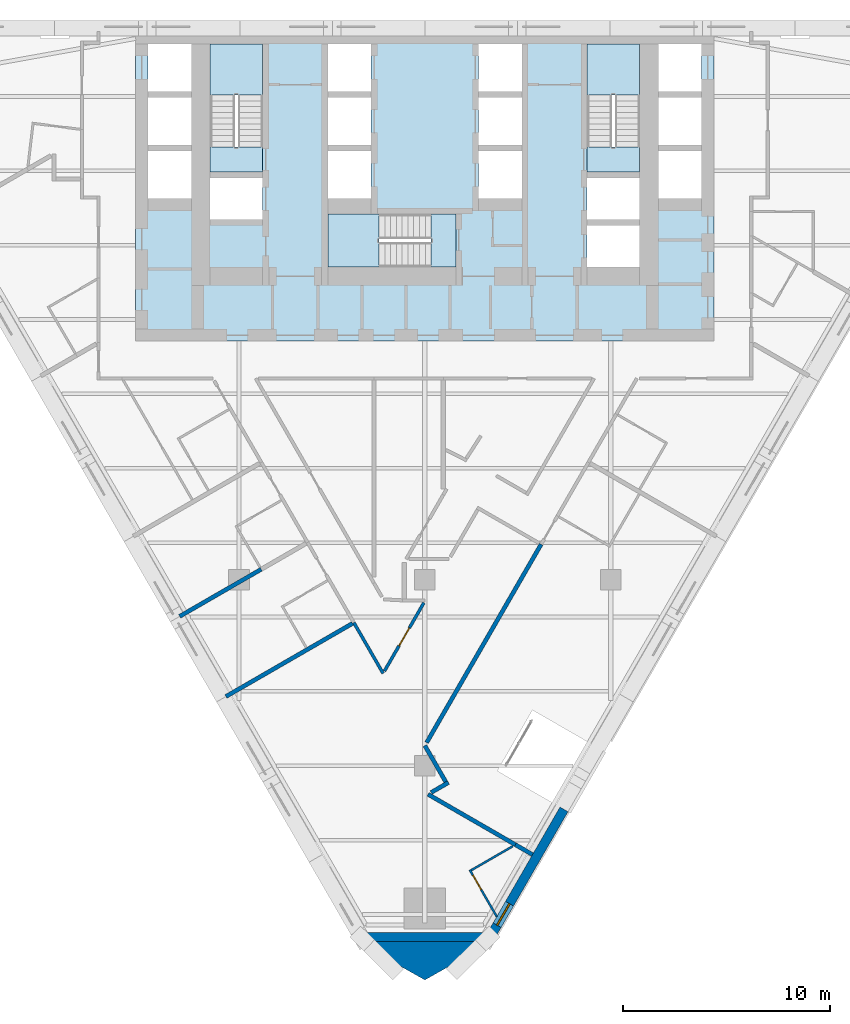
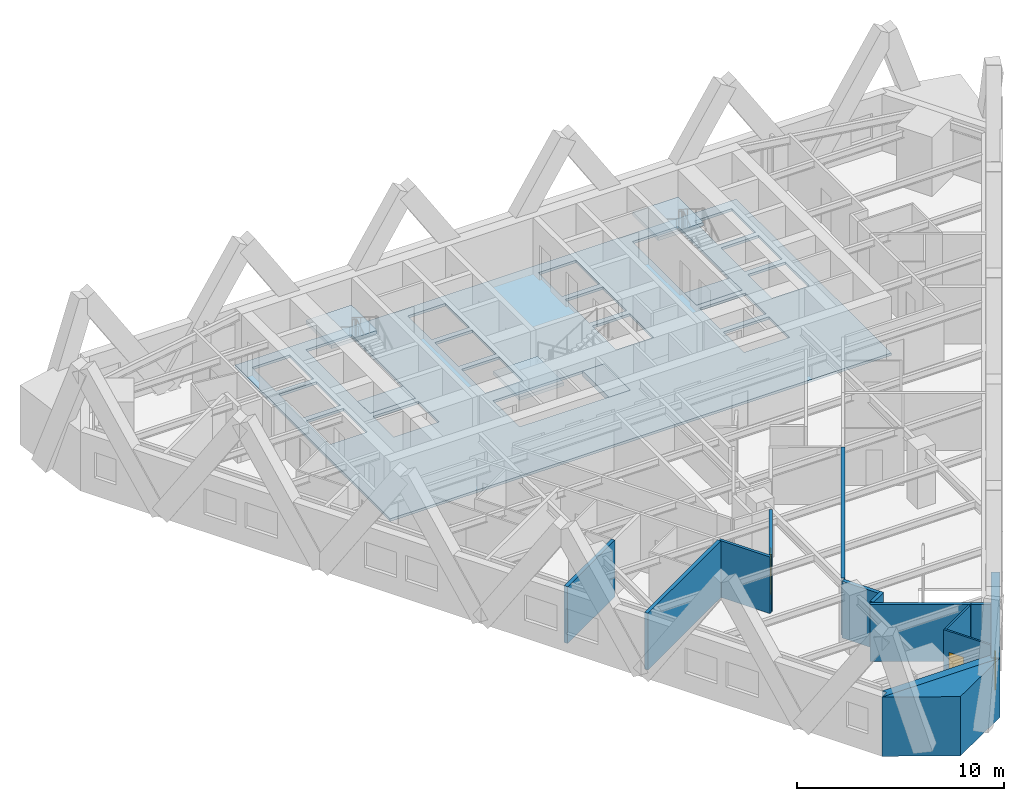
# One storey, part 4 of 12: 14 walls, 7 slabs, 2 doors, 1 window, 3 openings, 3 elements without a shape of their own.
"""IFC4 building model written with IfcOpenShell, lengths in metres."""

from ifc_helpers import new_model, si_unit, direction, frame, frame_2d, origin, place, context, subcontext, project, spatial, polyline, rectangle, outline, extrude, material, layer, layer_set, type_object, element, fill, aggregate, save


model = new_model("IFC4")

# Units and contexts
model_context = context("Model", 3, precision=1e-05, world=origin(), true_north=direction((0.0, 1.0)))
body_context = subcontext(model_context, "Body", "Model", "MODEL_VIEW")
ifc_project = project(units=[si_unit("LENGTHUNIT", "METRE"), si_unit("AREAUNIT", "SQUARE_METRE"), si_unit("VOLUMEUNIT", "CUBIC_METRE"), si_unit("PLANEANGLEUNIT", "RADIAN"), si_unit("MASSUNIT", "GRAM", prefix="KILO")], contexts=[model_context])

# Site, building, storey
site_placement = place(None, origin())
site = spatial("IfcSite", under=ifc_project, at=site_placement, CompositionType="ELEMENT")
building_placement = place(site_placement, origin())
building = spatial("IfcBuilding", under=site, at=building_placement, Name="Aloe Facet Convention Tower", CompositionType="ELEMENT")
storey_placement = place(building_placement, frame((0.0, 0.0, 70.0)))
storey = spatial("IfcBuildingStorey", under=building, at=storey_placement, Name="L16", CompositionType="ELEMENT", Elevation=70.0)

# Slabs
ifc_material_1 = material(Name="Concrete C80/95", Category="concrete")
ifc_layer_1 = layer(ifc_material_1, 0.14990234375)
ifc_layer_set_1 = layer_set([ifc_layer_1], Name="CR-S-FLOOR150-C8095")
slab_type_1 = type_object("IfcSlabType", Name="CR-S-FLOOR150-C8095", PredefinedType="FLOOR", material=ifc_layer_set_1)
slab_1_placement = place(storey_placement, frame((0.0, 0.0, -0.14990234375)))
element("IfcSlab", 1, at=slab_1_placement, inside=storey, type_object=slab_type_1, Name="Core floor L16", PredefinedType="FLOOR", context=body_context, shape_type="SweptSolid", body=[
    extrude(outline(polyline([(69.300048828125, 134.550048828125), (71.85009765625, 134.550048828125), (72.75, 134.550048828125), (74.699951171875, 134.550048828125), (75.60009765625, 134.550048828125), (77.10009765625, 134.550048828125), (78.0, 134.550048828125), (82.0, 134.550048828125), (82.89990234375, 134.550048828125), (84.39990234375, 134.550048828125), (85.300048828125, 134.550048828125), (87.25, 134.550048828125), (88.14990234375, 134.550048828125), (90.699951171875, 134.550048828125), (91.0, 134.550048828125), (94.0, 134.550048828125), (94.0, 131.949951171875), (94.0, 131.050048828125), (94.0, 129.35009765625), (94.0, 128.449951171875), (94.0, 126.449951171875), (94.0, 125.85009765625), (94.0, 124.9736328125), (94.0, 123.923583984375), (94.0, 122.834228515625), (94.0, 121.7841796875), (94.0, 119.550048828125), (91.300048828125, 119.550048828125), (90.699951171875, 119.550048828125), (87.89990234375, 119.550048828125), (86.85009765625, 119.550048828125), (85.699951171875, 119.550048828125), (84.64990234375, 119.550048828125), (83.699951171875, 119.550048828125), (82.64990234375, 119.550048828125), (81.75, 119.550048828125), (80.699951171875, 119.550048828125), (79.61669921875, 119.550048828125), (78.566650390625, 119.550048828125), (77.4833984375, 119.550048828125), (76.433349609375, 119.550048828125), (75.35009765625, 119.550048828125), (74.300048828125, 119.550048828125), (73.14990234375, 119.550048828125), (72.10009765625, 119.550048828125), (69.300048828125, 119.550048828125), (68.699951171875, 119.550048828125), (66.0, 119.550048828125), (66.0, 122.523681640625), (66.0, 123.57373046875), (66.0, 125.85009765625), (66.0, 126.449951171875), (66.0, 128.449951171875), (66.0, 129.35009765625), (66.0, 131.050048828125), (66.0, 131.949951171875), (66.0, 134.550048828125), (69.0, 134.550048828125), (69.300048828125, 134.550048828125)]), holes=[polyline([(75.300048828125, 123.14990234375), (80.298828125, 123.14990234375), (81.5, 123.14990234375), (81.5, 125.699951171875), (80.298828125, 125.699951171875), (75.300048828125, 125.699951171875), (75.300048828125, 123.14990234375)]), polyline([(69.60009765625, 125.449951171875), (72.14990234375, 125.449951171875), (72.14990234375, 127.449951171875), (69.60009765625, 127.449951171875), (69.60009765625, 125.449951171875)]), polyline([(66.60009765625, 126.449951171875), (68.699951171875, 126.449951171875), (68.699951171875, 128.75), (66.60009765625, 128.75), (66.60009765625, 126.449951171875)]), polyline([(75.300048828125, 126.449951171875), (77.39990234375, 126.449951171875), (77.39990234375, 128.75), (75.300048828125, 128.75), (75.300048828125, 126.449951171875)]), polyline([(66.60009765625, 129.050048828125), (68.699951171875, 129.050048828125), (68.699951171875, 131.35009765625), (66.60009765625, 131.35009765625), (66.60009765625, 129.050048828125)]), polyline([(75.300048828125, 129.050048828125), (77.39990234375, 129.050048828125), (77.39990234375, 131.35009765625), (75.300048828125, 131.35009765625), (75.300048828125, 129.050048828125)]), polyline([(69.60009765625, 133.949951171875), (69.60009765625, 128.951171875), (69.60009765625, 127.75), (72.14990234375, 127.75), (72.14990234375, 128.951171875), (72.14990234375, 133.949951171875), (69.60009765625, 133.949951171875)]), polyline([(66.60009765625, 133.949951171875), (66.60009765625, 131.64990234375), (68.699951171875, 131.64990234375), (68.699951171875, 133.949951171875), (66.60009765625, 133.949951171875)]), polyline([(75.300048828125, 133.949951171875), (75.300048828125, 131.64990234375), (77.39990234375, 131.64990234375), (77.39990234375, 133.949951171875), (75.300048828125, 133.949951171875)]), polyline([(87.85009765625, 123.14990234375), (90.39990234375, 123.14990234375), (90.39990234375, 125.14990234375), (87.85009765625, 125.14990234375), (87.85009765625, 123.14990234375)]), polyline([(87.85009765625, 125.449951171875), (90.39990234375, 125.449951171875), (90.39990234375, 127.449951171875), (87.85009765625, 127.449951171875), (87.85009765625, 125.449951171875)]), polyline([(82.60009765625, 126.449951171875), (84.699951171875, 126.449951171875), (84.699951171875, 128.75), (82.60009765625, 128.75), (82.60009765625, 126.449951171875)]), polyline([(91.300048828125, 126.449951171875), (93.39990234375, 126.449951171875), (93.39990234375, 128.75), (91.300048828125, 128.75), (91.300048828125, 126.449951171875)]), polyline([(82.60009765625, 129.050048828125), (84.699951171875, 129.050048828125), (84.699951171875, 131.35009765625), (82.60009765625, 131.35009765625), (82.60009765625, 129.050048828125)]), polyline([(91.300048828125, 129.050048828125), (93.39990234375, 129.050048828125), (93.39990234375, 131.35009765625), (91.300048828125, 131.35009765625), (91.300048828125, 129.050048828125)]), polyline([(87.85009765625, 133.949951171875), (87.85009765625, 128.951171875), (87.85009765625, 127.75), (90.39990234375, 127.75), (90.39990234375, 128.951171875), (90.39990234375, 133.949951171875), (87.85009765625, 133.949951171875)]), polyline([(82.60009765625, 133.949951171875), (82.60009765625, 131.64990234375), (84.699951171875, 131.64990234375), (84.699951171875, 133.949951171875), (82.60009765625, 133.949951171875)]), polyline([(91.300048828125, 133.949951171875), (91.300048828125, 131.64990234375), (93.39990234375, 131.64990234375), (93.39990234375, 133.949951171875), (91.300048828125, 133.949951171875)])]), origin(), (0.0, 0.0, 1.0), 0.14990234375),
])
ifc_material_2 = material(Name="Concrete C80/95", Category="concrete")
ifc_layer_2 = layer(ifc_material_2, 0.300048828125)
ifc_layer_set_2 = layer_set([ifc_layer_2], Name="CR-S-FLOOR300-C8095")
slab_type_2 = type_object("IfcSlabType", Name="CR-S-FLOOR300-C8095", PredefinedType="FLOOR", material=ifc_layer_set_2)
slab_2_placement = place(storey_placement, frame((0.0, 0.0, -0.300048828125)))
element("IfcSlab", 2, at=slab_2_placement, inside=storey, type_object=slab_type_2, Name="Stair landing floor L16", PredefinedType="FLOOR", context=body_context, shape_type="SweptSolid", body=[
    extrude(outline(polyline([(72.14990234375, 127.75), (72.14990234375, 128.951171875), (69.60009765625, 128.951171875), (69.60009765625, 127.75), (72.14990234375, 127.75)])), origin(), (0.0, 0.0, 1.0), 0.300048828125),
])
slab_3_placement = place(storey_placement, frame((0.0, 0.0, -0.300048828125)))
element("IfcSlab", 3, at=slab_3_placement, inside=storey, type_object=slab_type_2, Name="Stair landing floor L16", PredefinedType="FLOOR", context=body_context, shape_type="SweptSolid", body=[
    extrude(outline(polyline([(90.39990234375, 127.75), (90.39990234375, 128.951171875), (87.85009765625, 128.951171875), (87.85009765625, 127.75), (90.39990234375, 127.75)])), origin(), (0.0, 0.0, 1.0), 0.300048828125),
])
slab_4_placement = place(storey_placement, frame((0.0, 0.0, -0.300048828125)))
element("IfcSlab", 4, at=slab_4_placement, inside=storey, type_object=slab_type_2, Name="Stair landing floor L16", PredefinedType="FLOOR", context=body_context, shape_type="SweptSolid", body=[
    extrude(outline(polyline([(81.5, 125.699951171875), (80.298828125, 125.699951171875), (80.298828125, 123.14990234375), (81.5, 123.14990234375), (81.5, 125.699951171875)])), origin(), (0.0, 0.0, 1.0), 0.300048828125),
])

# Stair, slab
ifc_material_3 = material(Name="Concrete C50/60", Category="concrete")
stair_type = type_object("IfcStairType", Name="CR-ST-20R", PredefinedType="HALF_TURN_STAIR", material=ifc_material_3)
stair_1_placement = place(storey_placement, origin())
stair_1 = element("IfcStair", 5, at=stair_1_placement, inside=storey, type_object=stair_type, Name="L16 Protected exit stair ST1", PredefinedType="HALF_TURN_STAIR")
ifc_material_4 = material(Name="Concrete C50/60", Category="concrete")
ifc_layer_3 = layer(ifc_material_4, 0.199951171875)
ifc_layer_set_3 = layer_set([ifc_layer_3], Name="CR-SL-LANDING")
slab_type_3 = type_object("IfcSlabType", Name="CR-SL-LANDING", PredefinedType="LANDING", material=ifc_layer_set_3)
slab_5_placement = place(storey_placement, frame((0.0, 0.0, 1.550048828125)))
slab_5 = element("IfcSlab", 6, at=slab_5_placement, type_object=slab_type_3, Name="ST1 landing 1", PredefinedType="LANDING", context=body_context, shape_type="SweptSolid", body=[
    extrude(outline(polyline([(72.14990234375, 131.469970703125), (72.14990234375, 133.949951171875), (69.60009765625, 133.949951171875), (69.60009765625, 131.469970703125), (72.14990234375, 131.469970703125)])), origin(), (0.0, 0.0, 1.0), 0.199951171875),
])
aggregate(stair_1, [slab_5])

stair_2_placement = place(storey_placement, origin())
stair_2 = element("IfcStair", 7, at=stair_2_placement, inside=storey, type_object=stair_type, Name="L16 Protected exit stair ST2", PredefinedType="HALF_TURN_STAIR")
slab_6_placement = place(storey_placement, frame((0.0, 0.0, 1.550048828125)))
slab_6 = element("IfcSlab", 8, at=slab_6_placement, type_object=slab_type_3, Name="ST2 landing 1", PredefinedType="LANDING", context=body_context, shape_type="SweptSolid", body=[
    extrude(outline(polyline([(90.39990234375, 131.469970703125), (90.39990234375, 133.949951171875), (87.85009765625, 133.949951171875), (87.85009765625, 131.469970703125), (90.39990234375, 131.469970703125)])), origin(), (0.0, 0.0, 1.0), 0.199951171875),
])
aggregate(stair_2, [slab_6])

stair_3_placement = place(storey_placement, origin())
stair_3 = element("IfcStair", 9, at=stair_3_placement, inside=storey, type_object=stair_type, Name="L16 Protected exit stair ST3", PredefinedType="HALF_TURN_STAIR")
slab_7_placement = place(storey_placement, frame((0.0, 0.0, 1.550048828125)))
slab_7 = element("IfcSlab", 10, at=slab_7_placement, type_object=slab_type_3, Name="ST3 landing 1", PredefinedType="LANDING", context=body_context, shape_type="SweptSolid", body=[
    extrude(outline(polyline([(77.780029296875, 125.699951171875), (75.300048828125, 125.699951171875), (75.300048828125, 123.14990234375), (77.780029296875, 123.14990234375), (77.780029296875, 125.699951171875)])), origin(), (0.0, 0.0, 1.0), 0.199951171875),
])
aggregate(stair_3, [slab_7])

# Walls
ifc_material_5 = material(Name="Precast concrete C40/50", Category="concrete")
ifc_layer_4 = layer(ifc_material_5, 0.449951171875)
ifc_layer_set_4 = layer_set([ifc_layer_4], Name="EV-WALL-PIER")
wall_type_1 = type_object("IfcWallType", Name="EV-WALL-PIER", PredefinedType="SOLIDWALL", material=ifc_layer_set_4)
wall_1_placement = place(storey_placement, frame((0.0, 0.0, -0.14990234375)))
element("IfcWall", 11, at=wall_1_placement, inside=storey, type_object=wall_type_1, Name="EP-L16-B", PredefinedType="SOLIDWALL", context=body_context, shape_type="SweptSolid", body=[
    extrude(outline(polyline([(76.699951171875, 90.486328125), (77.089599609375, 90.711181640625), (76.959716796875, 90.936279296875), (83.040283203125, 90.936279296875), (82.910400390625, 90.711181640625), (83.300048828125, 90.486328125), (76.699951171875, 90.486328125)])), origin(), (0.0, 0.0, 1.0), 3.5),
])
ifc_material_6 = material(Name="Precast concrete C40/50", Category="concrete")
ifc_layer_5 = layer(ifc_material_6, 3.947998046875)
ifc_layer_set_5 = layer_set([ifc_layer_5], Name="EV-WALL-SPINE")
wall_type_2 = type_object("IfcWallType", Name="EV-WALL-SPINE", PredefinedType="SOLIDWALL", material=ifc_layer_set_5)
wall_2_placement = place(storey_placement, frame((0.0, 0.0, -0.14990234375)))
element("IfcWall", 12, at=wall_2_placement, inside=storey, type_object=wall_type_2, Name="SP-S-L16", PredefinedType="SOLIDWALL", context=body_context, shape_type="SweptSolid", body=[
    extrude(outline(polyline([(76.699951171875, 90.486328125), (80.0, 88.626708984375), (83.300048828125, 90.486328125), (76.699951171875, 90.486328125)])), origin(), (0.0, 0.0, 1.0), 3.5),
])

# Wall, opening, window
ifc_material_7 = material(Name="Precast concrete C40/50", Category="concrete")
ifc_layer_6 = layer(ifc_material_7, 0.449951171875)
ifc_layer_set_6 = layer_set([ifc_layer_6], Name="EV-WALL-STONE")
wall_type_3 = type_object("IfcWallType", Name="EV-WALL-STONE", PredefinedType="SOLIDWALL", material=ifc_layer_set_6)
wall_3_placement = place(storey_placement, frame((83.105224609375, 90.598876953125, -0.14990234375), z_axis=(0.0, 0.0, 1.0), x_axis=(0.4999873519, 0.866032706045, 0.0)))
wall_3 = element("IfcWall", 13, at=wall_3_placement, inside=storey, type_object=wall_type_3, Name="EW-L16-E01", PredefinedType="SOLIDWALL", context=body_context, shape_type="SweptSolid", body=[
    extrude(outline(polyline([(0.0, 0.0), (0.0, 3.5), (7.260009765625, 3.5), (7.260009765625, 0.0), (0.0, 0.0)])), frame((0.0, 0.22509765625, 0.0), z_axis=(0.0, -1.0, 0.0), x_axis=(1.0, 0.0, 0.0)), (0.0, 0.0, 1.0), 0.449951171875),
])
opening_1_placement = place(wall_3_placement, frame((0.7861328125, 0.0, 1.050048828125)))
opening_1 = element("IfcOpeningElement", 14, at=opening_1_placement, cuts=wall_3, Name="Opening W-L16-E01", PredefinedType="OPENING", context=body_context, shape_type="SweptSolid", body=[
    extrude(rectangle(XDim=1.199951171875, YDim=1.5, at=frame_2d((0.60009765625, 0.75))), frame((0.0, 0.23486328125, 0.0), z_axis=(0.0, -1.0, 0.0), x_axis=(1.0, 0.0, 0.0)), (0.0, 0.0, 1.0), 0.469970703125),
])
ifc_material_8 = material(Name="Aluminium frame, clear double glazing", Category="aluminium")
window_type = type_object("IfcWindowType", Name="EV-WIN-H12", PartitioningType="SINGLE_PANEL", PredefinedType="WINDOW", material=ifc_material_8)
window_placement = place(opening_1_placement, origin())
window = element("IfcWindow", 15, at=window_placement, inside=storey, type_object=window_type, Name="W-L16-E01", OverallHeight=1.5, OverallWidth=1.199951171875, PartitioningType="SINGLE_PANEL", PredefinedType="WINDOW", context=body_context, shape_type="SweptSolid", body=[
    extrude(rectangle(XDim=1.199951171875, YDim=1.5, at=frame_2d((0.60009765625, 0.75))), frame((0.0, 0.030029296875, 0.0), z_axis=(0.0, -1.0, 0.0), x_axis=(1.0, 0.0, 0.0)), (0.0, 0.0, 1.0), 0.06005859375),
])
fill(opening_1, window)

# Wall
ifc_material_9 = material(Name="Gypsum board partition on steel studs", Category="steel")
ifc_layer_7 = layer(ifc_material_9, 0.14990234375)
ifc_layer_set_7 = layer_set([ifc_layer_7], Name="IN-W-CORR")
wall_type_4 = type_object("IfcWallType", Name="IN-W-CORR", PredefinedType="PARTITIONING", material=ifc_layer_set_7)
wall_4_placement = place(storey_placement, frame((76.561767578125, 105.92578125, 0.0), z_axis=(0.0, 0.0, 1.0), x_axis=(0.499973412913, -0.866040753302, 0.0)))
element("IfcWall", 16, at=wall_4_placement, inside=storey, type_object=wall_type_4, Name="Partition L16-W009", PredefinedType="PARTITIONING", context=body_context, shape_type="SweptSolid", body=[
    extrude(rectangle(XDim=2.835205078125, YDim=0.14990234375, at=frame_2d((1.41748046875, 0.0))), origin(), (0.0, 0.0, 1.0), 3.35009765625),
])

# Wall, opening, door
wall_5_placement = place(storey_placement, frame((78.044189453125, 103.5830078125, 0.0), z_axis=(0.0, 0.0, 1.0), x_axis=(0.499835090783, 0.866120593233, 0.0)))
wall_5 = element("IfcWall", 17, at=wall_5_placement, inside=storey, type_object=wall_type_4, Name="Partition L16-W017", PredefinedType="PARTITIONING", context=body_context, shape_type="SweptSolid", body=[
    extrude(rectangle(XDim=3.815185546875, YDim=0.14990234375, at=frame_2d((1.90771484375, 0.0))), origin(), (0.0, 0.0, 1.0), 3.35009765625),
])
opening_2_placement = place(wall_5_placement, frame((1.40771484375, 0.0, 0.0)))
opening_2 = element("IfcOpeningElement", 18, at=opening_2_placement, cuts=wall_5, Name="Opening L16-007", PredefinedType="OPENING", context=body_context, shape_type="SweptSolid", body=[
    extrude(rectangle(XDim=1.0, YDim=2.10009765625, at=frame_2d((0.5, 1.050048828125))), frame((0.0, 0.0849609375, 0.0), z_axis=(0.0, -1.0, 0.0), x_axis=(1.0, 0.0, 0.0)), (0.0, 0.0, 1.0), 0.169921875),
])
ifc_material_10 = material(Name="Hardwood flush door FD30S", Category="wood")
door_type_1 = type_object("IfcDoorType", Name="IN-D-WIDE", OperationType="SINGLE_SWING_LEFT", PredefinedType="DOOR", material=ifc_material_10)
door_1_placement = place(opening_2_placement, origin())
door_1 = element("IfcDoor", 19, at=door_1_placement, inside=storey, type_object=door_type_1, Name="Door L16-007", OperationType="SINGLE_SWING_LEFT", OverallHeight=2.10009765625, OverallWidth=1.0, PredefinedType="DOOR", context=body_context, shape_type="SweptSolid", body=[
    extrude(rectangle(XDim=1.0, YDim=2.10009765625, at=frame_2d((0.5, 1.050048828125))), frame((0.0, 0.02490234375, 0.0), z_axis=(0.0, -1.0, 0.0), x_axis=(1.0, 0.0, 0.0)), (0.0, 0.0, 1.0), 0.050048828125),
])
fill(opening_2, door_1)

ifc_material_11 = material(Name="Gypsum board partition on steel studs", Category="steel")
ifc_layer_8 = layer(ifc_material_11, 0.10009765625)
ifc_layer_set_8 = layer_set([ifc_layer_8], Name="IN-W-PART")
wall_type_5 = type_object("IfcWallType", Name="IN-W-PART", PredefinedType="PARTITIONING", material=ifc_layer_set_8)
wall_6_placement = place(storey_placement, frame((82.173583984375, 93.957763671875, 0.0), z_axis=(0.0, 0.0, 1.0), x_axis=(0.500040798873, -0.866001847263, 0.0)))
wall_6 = element("IfcWall", 20, at=wall_6_placement, inside=storey, type_object=wall_type_5, Name="Partition L16-W001", PredefinedType="PARTITIONING", context=body_context, shape_type="SweptSolid", body=[
    extrude(rectangle(XDim=2.611083984375, YDim=0.10009765625, at=frame_2d((1.3056640625, 0.0))), origin(), (0.0, 0.0, 1.0), 3.35009765625),
])
opening_3_placement = place(wall_6_placement, frame((0.300048828125, 0.0, 0.0)))
opening_3 = element("IfcOpeningElement", 21, at=opening_3_placement, cuts=wall_6, Name="Opening L16-022", PredefinedType="OPENING", context=body_context, shape_type="SweptSolid", body=[
    extrude(rectangle(XDim=0.800048828125, YDim=2.10009765625, at=frame_2d((0.39990234375, 1.050048828125))), frame((0.0, 0.06005859375, 0.0), z_axis=(0.0, -1.0, 0.0), x_axis=(1.0, 0.0, 0.0)), (0.0, 0.0, 1.0), 0.1201171875),
])
ifc_material_12 = material(Name="Timber flush door", Category="wood")
door_type_2 = type_object("IfcDoorType", Name="IN-D-BATH", OperationType="SINGLE_SWING_LEFT", PredefinedType="DOOR", material=ifc_material_12)
door_2_placement = place(opening_3_placement, origin())
door_2 = element("IfcDoor", 22, at=door_2_placement, inside=storey, type_object=door_type_2, Name="Door L16-022", OperationType="SINGLE_SWING_LEFT", OverallHeight=2.10009765625, OverallWidth=0.800048828125, PredefinedType="DOOR", context=body_context, shape_type="SweptSolid", body=[
    extrude(rectangle(XDim=0.800048828125, YDim=2.10009765625, at=frame_2d((0.39990234375, 1.050048828125))), frame((0.0, 0.02490234375, 0.0), z_axis=(0.0, -1.0, 0.0), x_axis=(1.0, 0.0, 0.0)), (0.0, 0.0, 1.0), 0.050048828125),
])
fill(opening_3, door_2)

# Walls
wall_7_placement = place(storey_placement, frame((82.241943359375, 93.939453125, 0.0), z_axis=(0.0, 0.0, 1.0), x_axis=(0.866011198387, 0.500024603663, 0.0)))
element("IfcWall", 23, at=wall_7_placement, inside=storey, type_object=wall_type_5, Name="Partition L16-W002", PredefinedType="PARTITIONING", context=body_context, shape_type="SweptSolid", body=[
    extrude(rectangle(XDim=2.33154296875, YDim=0.10009765625, at=frame_2d((1.165771484375, 0.0))), origin(), (0.0, 0.0, 1.0), 3.35009765625),
])
ifc_material_13 = material(Name="Gypsum board partition on steel studs", Category="steel")
ifc_layer_9 = layer(ifc_material_13, 0.199951171875)
ifc_layer_set_9 = layer_set([ifc_layer_9], Name="IN-W-PARTY")
wall_type_6 = type_object("IfcWallType", Name="IN-W-PARTY", PredefinedType="PARTITIONING", material=ifc_layer_set_9)
wall_8_placement = place(storey_placement, frame((80.15380859375, 97.616455078125, 0.0), z_axis=(0.0, 0.0, 1.0), x_axis=(0.866040703787, -0.499973498682, 0.0)))
element("IfcWall", 24, at=wall_8_placement, inside=storey, type_object=wall_type_6, Name="Partition L16-W003", PredefinedType="PARTITIONING", context=body_context, shape_type="SweptSolid", body=[
    extrude(rectangle(XDim=4.882568359375, YDim=0.199951171875, at=frame_2d((2.44140625, 0.0))), origin(), (0.0, 0.0, 1.0), 3.35009765625),
])
wall_9_placement = place(storey_placement, frame((84.38232421875, 95.17529296875, 0.0), z_axis=(0.0, 0.0, 1.0), x_axis=(0.865926447167, -0.500171358732, 0.0)))
element("IfcWall", 25, at=wall_9_placement, inside=storey, type_object=wall_type_6, Name="Partition L16-W004", PredefinedType="PARTITIONING", context=body_context, shape_type="SweptSolid", body=[
    extrude(rectangle(XDim=0.957275390625, YDim=0.199951171875, at=frame_2d((0.478515625, 0.0))), origin(), (0.0, 0.0, 1.0), 3.35009765625),
])
wall_10_placement = place(storey_placement, frame((80.3037109375, 97.703125, 0.0), z_axis=(0.0, 0.0, 1.0), x_axis=(0.866005469285, 0.500034525977, 0.0)))
element("IfcWall", 26, at=wall_10_placement, inside=storey, type_object=wall_type_6, Name="Partition L16-W005", PredefinedType="PARTITIONING", context=body_context, shape_type="SweptSolid", body=[
    extrude(rectangle(XDim=0.970703125, YDim=0.199951171875, at=frame_2d((0.4853515625, 0.0))), origin(), (0.0, 0.0, 1.0), 3.35009765625),
])
wall_11_placement = place(storey_placement, frame((80.0, 99.970458984375, 0.0), z_axis=(0.0, 0.0, 1.0), x_axis=(0.5000475079, -0.865997973348, 0.0)))
element("IfcWall", 27, at=wall_11_placement, inside=storey, type_object=wall_type_6, Name="Partition L16-W006", PredefinedType="PARTITIONING", context=body_context, shape_type="SweptSolid", body=[
    extrude(rectangle(XDim=2.015380859375, YDim=0.199951171875, at=frame_2d((1.0078125, 0.0))), origin(), (0.0, 0.0, 1.0), 3.35009765625),
])
wall_12_placement = place(storey_placement, frame((80.086669921875, 100.12060546875, 0.0), z_axis=(0.0, 0.0, 1.0), x_axis=(0.500000851129, 0.866024912384, 0.0)))
element("IfcWall", 28, at=wall_12_placement, inside=storey, type_object=wall_type_6, Name="Partition L16-W007", PredefinedType="PARTITIONING", context=body_context, shape_type="SweptSolid", body=[
    extrude(rectangle(XDim=11.0830078125, YDim=0.199951171875, at=frame_2d((5.54150390625, 0.0))), origin(), (0.0, 0.0, 1.0), 3.35009765625),
])
wall_13_placement = place(storey_placement, frame((70.36962890625, 102.3505859375, 0.0), z_axis=(0.0, 0.0, 1.0), x_axis=(0.866021813296, 0.500006218857, 0.0)))
element("IfcWall", 29, at=wall_13_placement, inside=storey, type_object=wall_type_6, Name="Partition L16-W008", PredefinedType="PARTITIONING", context=body_context, shape_type="SweptSolid", body=[
    extrude(rectangle(XDim=7.0751953125, YDim=0.199951171875, at=frame_2d((3.53759765625, 0.0))), origin(), (0.0, 0.0, 1.0), 3.35009765625),
])
wall_14_placement = place(storey_placement, frame((68.129638671875, 106.23046875, 0.0), z_axis=(0.0, 0.0, 1.0), x_axis=(0.866030456496, 0.499991248344, 0.0)))
element("IfcWall", 30, at=wall_14_placement, inside=storey, type_object=wall_type_6, Name="Partition L16-W014", PredefinedType="PARTITIONING", context=body_context, shape_type="SweptSolid", body=[
    extrude(rectangle(XDim=4.56005859375, YDim=0.199951171875, at=frame_2d((2.280029296875, 0.0))), origin(), (0.0, 0.0, 1.0), 3.35009765625),
])

save(model, "model.ifc")
